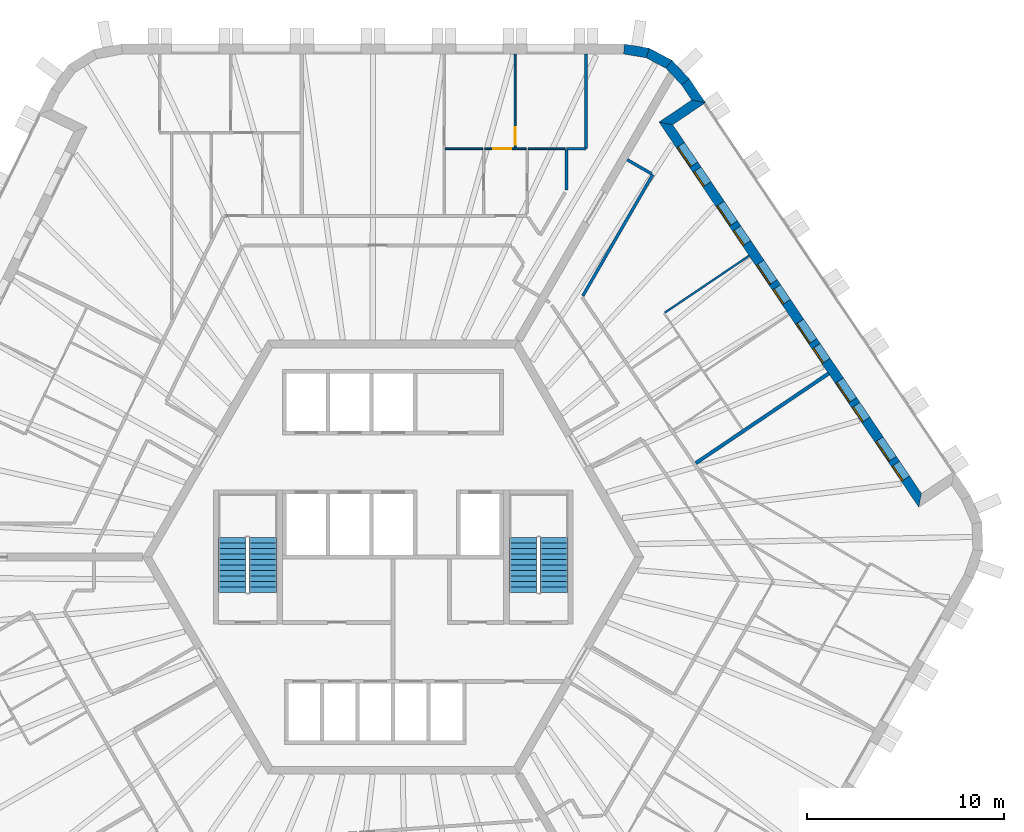
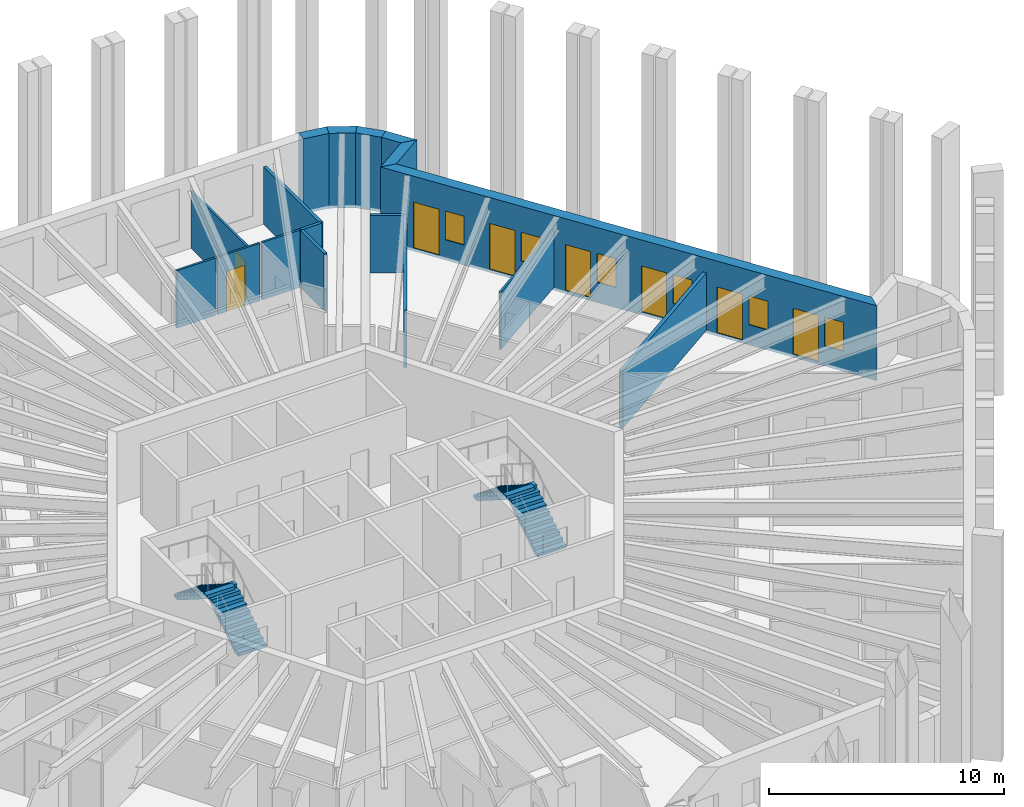
# One storey, part 11 of 13: 17 walls, 8 doors, 6 windows, 4 stair flights, 14 openings, 2 elements without a shape of their own.
"""IFC4 building model written with IfcOpenShell, lengths in metres."""

from ifc_helpers import new_model, si_unit, direction, frame, frame_2d, origin, place, context, subcontext, project, spatial, polyline, rectangle, outline, extrude, material, layer, layer_set, type_object, element, fill, aggregate, save


model = new_model("IFC4")

# Units and contexts
model_context = context("Model", 3, precision=1e-05, world=origin(), true_north=direction((0.0, 1.0)))
body_context = subcontext(model_context, "Body", "Model", "MODEL_VIEW")
ifc_project = project(units=[si_unit("LENGTHUNIT", "METRE"), si_unit("AREAUNIT", "SQUARE_METRE"), si_unit("VOLUMEUNIT", "CUBIC_METRE"), si_unit("PLANEANGLEUNIT", "RADIAN"), si_unit("MASSUNIT", "GRAM", prefix="KILO")], contexts=[model_context])

# Site, building, storey
site_placement = place(None, origin())
site = spatial("IfcSite", under=ifc_project, at=site_placement, CompositionType="ELEMENT")
building_placement = place(site_placement, origin())
building = spatial("IfcBuilding", under=site, at=building_placement, Name="Tarnside Tower", CompositionType="ELEMENT")
storey_placement = place(building_placement, frame((0.0, 0.0, 279.60009765625)))
storey = spatial("IfcBuildingStorey", under=building, at=storey_placement, Name="L67", CompositionType="ELEMENT", Elevation=279.60009765625)

# Walls
ifc_material_1 = material(Name="Gypsum board partition on steel studs", Category="steel")
ifc_layer_1 = layer(ifc_material_1, 0.10009765625)
ifc_layer_set_1 = layer_set([ifc_layer_1], Name="Bathroom wall 100")
wall_type_1 = type_object("IfcWallType", Name="Bathroom wall 100", PredefinedType="PARTITIONING", material=ifc_layer_set_1)
wall_1_placement = place(storey_placement, frame((4.5380859375, 20.699951171875, 0.0), z_axis=(0.0, 0.0, 1.0), x_axis=(-1.0, 0.0, 0.0)))
element("IfcWall", 1, at=wall_1_placement, inside=storey, type_object=wall_type_1, Name="Bathroom wall 22092", PredefinedType="PARTITIONING", context=body_context, shape_type="SweptSolid", body=[
    extrude(rectangle(XDim=1.904052734375, YDim=0.10009765625, at=frame_2d((0.9521484375, 0.0))), origin(), (0.0, 0.0, 1.0), 2.98779296875),
])
wall_2_placement = place(storey_placement, frame((6.836181640625, 20.699951171875, 0.0), z_axis=(0.0, 0.0, 1.0), x_axis=(1.0, 0.0, 0.0)))
element("IfcWall", 2, at=wall_2_placement, inside=storey, type_object=wall_type_1, Name="Bathroom wall 22094", PredefinedType="PARTITIONING", context=body_context, shape_type="SweptSolid", body=[
    extrude(rectangle(XDim=1.875, YDim=0.10009765625, at=frame_2d((0.9375, 0.0))), origin(), (0.0, 0.0, 1.0), 2.98779296875),
])
ifc_layer_2 = layer(ifc_material_1, 0.14990234375)
ifc_layer_set_2 = layer_set([ifc_layer_2], Name="Corridor wall 150 EI 60")
wall_type_2 = type_object("IfcWallType", Name="Corridor wall 150 EI 60", PredefinedType="PARTITIONING", material=ifc_layer_set_2)
wall_3_placement = place(storey_placement, frame((9.77392578125, 20.699951171875, 0.0), z_axis=(0.0, 0.0, 1.0), x_axis=(-1.0, 0.0, 0.0)))
element("IfcWall", 3, at=wall_3_placement, inside=storey, type_object=wall_type_2, Name="Corridor wall 22004", PredefinedType="PARTITIONING", context=body_context, shape_type="SweptSolid", body=[
    extrude(rectangle(XDim=0.991455078125, YDim=0.14990234375, at=frame_2d((0.49560546875, 0.0))), origin(), (0.0, 0.0, 1.0), 2.98779296875),
])
wall_4_placement = place(storey_placement, frame((9.775146484375, 25.5, 0.0), z_axis=(0.0, 0.0, 1.0), x_axis=(0.0, -1.0, 0.0)))
element("IfcWall", 4, at=wall_4_placement, inside=storey, type_object=wall_type_2, Name="Corridor wall 22005", PredefinedType="PARTITIONING", context=body_context, shape_type="SweptSolid", body=[
    extrude(rectangle(XDim=4.798828125, YDim=0.14990234375, at=frame_2d((2.3994140625, 0.0))), origin(), (0.0, 0.0, 1.0), 2.98779296875),
])
wall_5_placement = place(storey_placement, frame((8.7861328125, 20.625, 0.0), z_axis=(0.0, 0.0, 1.0), x_axis=(0.0, -1.0, 0.0)))
element("IfcWall", 5, at=wall_5_placement, inside=storey, type_object=wall_type_2, Name="Corridor wall 22006", PredefinedType="PARTITIONING", context=body_context, shape_type="SweptSolid", body=[
    extrude(rectangle(XDim=2.007080078125, YDim=0.14990234375, at=frame_2d((1.00341796875, 0.0))), origin(), (0.0, 0.0, 1.0), 2.98779296875),
])
wall_6_placement = place(storey_placement, frame((9.61083984375, 13.246337890625, 0.0), z_axis=(0.0, 0.0, 1.0), x_axis=(0.499994435258, 0.866028616566, 0.0)))
element("IfcWall", 6, at=wall_6_placement, inside=storey, type_object=wall_type_2, Name="Corridor wall 22067", PredefinedType="PARTITIONING", context=body_context, shape_type="SweptSolid", body=[
    extrude(rectangle(XDim=7.0966796875, YDim=0.14990234375, at=frame_2d((3.54833984375, 0.0))), origin(), (0.0, 0.0, 1.0), 2.98779296875),
])
wall_7_placement = place(storey_placement, frame((13.09423828125, 19.429931640625, 0.0), z_axis=(0.0, 0.0, 1.0), x_axis=(-0.866062911188, 0.499935029643, 0.0)))
element("IfcWall", 7, at=wall_7_placement, inside=storey, type_object=wall_type_2, Name="Corridor wall 22068", PredefinedType="PARTITIONING", context=body_context, shape_type="SweptSolid", body=[
    extrude(rectangle(XDim=1.425048828125, YDim=0.14990234375, at=frame_2d((0.71240234375, 0.0))), origin(), (0.0, 0.0, 1.0), 2.98779296875),
])
ifc_layer_3 = layer(ifc_material_1, 0.179931640625)
ifc_layer_set_3 = layer_set([ifc_layer_3], Name="Demising wall 180 EI 60")
wall_type_3 = type_object("IfcWallType", Name="Demising wall 180 EI 60", PredefinedType="PARTITIONING", material=ifc_layer_set_3)
wall_8_placement = place(storey_placement, frame((22.068603515625, 9.306884765625, 0.0), z_axis=(0.0, 0.0, 1.0), x_axis=(-0.829042649773, -0.559185376111, 0.0)))
element("IfcWall", 8, at=wall_8_placement, inside=storey, type_object=wall_type_3, Name="Demising wall 22158", PredefinedType="PARTITIONING", context=body_context, shape_type="SweptSolid", body=[
    extrude(rectangle(XDim=8.125244140625, YDim=0.179931640625, at=frame_2d((4.0625, 0.0))), origin(), (0.0, 0.0, 1.0), 2.98779296875),
])

# Wall, openings, doors, windows
ifc_material_2 = material(Name="Dark zinc cladding")
ifc_layer_4 = layer(ifc_material_2, 0.10205078125)
ifc_material_3 = material(Name="Concrete C60/75 precast", Category="concrete")
ifc_layer_5 = layer(ifc_material_3, 0.298095703125)
ifc_material_4 = material(Name="Mineral wool insulation")
ifc_layer_6 = layer(ifc_material_4, 0.10009765625)
ifc_layer_set_4 = layer_set([ifc_layer_4, ifc_layer_5, ifc_layer_6], Name="Loggia wall 500 zinc faced")
wall_type_4 = type_object("IfcWallType", Name="Loggia wall 500 zinc faced", PredefinedType="SOLIDWALL", material=ifc_layer_set_4)
wall_9_placement = place(storey_placement, frame((26.705810546875, 2.87890625, -0.150146484375), z_axis=(0.0, 0.0, 1.0), x_axis=(-0.559197891507, 0.829034208061, 0.0)))
wall_9 = element("IfcWall", 9, at=wall_9_placement, inside=storey, type_object=wall_type_4, Name="Tube wall L67 F6 back 30", PredefinedType="SOLIDWALL", context=body_context, shape_type="SweptSolid", body=[
    extrude(outline(polyline([(0.25, -0.25), (22.794677734375, -0.25), (23.294677734375, 0.25), (-0.25, 0.25), (0.25, -0.25)])), origin(), (0.0, 0.0, 1.0), 3.900146484375),
])
opening_1_placement = place(wall_9_placement, frame((1.322509765625, 0.0, 1.050048828125)))
opening_1 = element("IfcOpeningElement", 10, at=opening_1_placement, cuts=wall_9, Name="Opening WL500", PredefinedType="OPENING", context=body_context, shape_type="SweptSolid", body=[
    extrude(rectangle(XDim=0.89990234375, YDim=1.5, at=frame_2d((0.449951171875, 0.75))), frame((0.0, 0.260009765625, 0.0), z_axis=(0.0, -1.0, 0.0), x_axis=(1.0, 0.0, 0.0)), (0.0, 0.0, 1.0), 0.52001953125),
])
opening_2_placement = place(wall_9_placement, frame((2.5224609375, 0.0, 0.14990234375)))
opening_2 = element("IfcOpeningElement", 11, at=opening_2_placement, cuts=wall_9, Name="Opening DB500", PredefinedType="OPENING", context=body_context, shape_type="SweptSolid", body=[
    extrude(rectangle(XDim=1.199951171875, YDim=2.39990234375, at=frame_2d((0.60009765625, 1.199951171875))), frame((0.0, 0.260009765625, 0.0), z_axis=(0.0, -1.0, 0.0), x_axis=(1.0, 0.0, 0.0)), (0.0, 0.0, 1.0), 0.52001953125),
])
opening_3_placement = place(wall_9_placement, frame((4.92236328125, 0.0, 1.050048828125)))
opening_3 = element("IfcOpeningElement", 12, at=opening_3_placement, cuts=wall_9, Name="Opening WL500", PredefinedType="OPENING", context=body_context, shape_type="SweptSolid", body=[
    extrude(rectangle(XDim=0.89990234375, YDim=1.5, at=frame_2d((0.449951171875, 0.75))), frame((0.0, 0.260009765625, 0.0), z_axis=(0.0, -1.0, 0.0), x_axis=(1.0, 0.0, 0.0)), (0.0, 0.0, 1.0), 0.52001953125),
])
opening_4_placement = place(wall_9_placement, frame((6.122314453125, 0.0, 0.14990234375)))
opening_4 = element("IfcOpeningElement", 13, at=opening_4_placement, cuts=wall_9, Name="Opening DB500", PredefinedType="OPENING", context=body_context, shape_type="SweptSolid", body=[
    extrude(rectangle(XDim=1.199951171875, YDim=2.39990234375, at=frame_2d((0.60009765625, 1.199951171875))), frame((0.0, 0.260009765625, 0.0), z_axis=(0.0, -1.0, 0.0), x_axis=(1.0, 0.0, 0.0)), (0.0, 0.0, 1.0), 0.52001953125),
])
opening_5_placement = place(wall_9_placement, frame((8.5224609375, 0.0, 1.050048828125)))
opening_5 = element("IfcOpeningElement", 14, at=opening_5_placement, cuts=wall_9, Name="Opening WL500", PredefinedType="OPENING", context=body_context, shape_type="SweptSolid", body=[
    extrude(rectangle(XDim=0.89990234375, YDim=1.5, at=frame_2d((0.449951171875, 0.75))), frame((0.0, 0.260009765625, 0.0), z_axis=(0.0, -1.0, 0.0), x_axis=(1.0, 0.0, 0.0)), (0.0, 0.0, 1.0), 0.52001953125),
])
opening_6_placement = place(wall_9_placement, frame((9.722412109375, 0.0, 0.14990234375)))
opening_6 = element("IfcOpeningElement", 15, at=opening_6_placement, cuts=wall_9, Name="Opening DB500", PredefinedType="OPENING", context=body_context, shape_type="SweptSolid", body=[
    extrude(rectangle(XDim=1.199951171875, YDim=2.39990234375, at=frame_2d((0.60009765625, 1.199951171875))), frame((0.0, 0.260009765625, 0.0), z_axis=(0.0, -1.0, 0.0), x_axis=(1.0, 0.0, 0.0)), (0.0, 0.0, 1.0), 0.52001953125),
])
opening_7_placement = place(wall_9_placement, frame((12.122314453125, 0.0, 1.050048828125)))
opening_7 = element("IfcOpeningElement", 16, at=opening_7_placement, cuts=wall_9, Name="Opening WL500", PredefinedType="OPENING", context=body_context, shape_type="SweptSolid", body=[
    extrude(rectangle(XDim=0.89990234375, YDim=1.5, at=frame_2d((0.449951171875, 0.75))), frame((0.0, 0.260009765625, 0.0), z_axis=(0.0, -1.0, 0.0), x_axis=(1.0, 0.0, 0.0)), (0.0, 0.0, 1.0), 0.52001953125),
])
opening_8_placement = place(wall_9_placement, frame((13.322509765625, 0.0, 0.14990234375)))
opening_8 = element("IfcOpeningElement", 17, at=opening_8_placement, cuts=wall_9, Name="Opening DB500", PredefinedType="OPENING", context=body_context, shape_type="SweptSolid", body=[
    extrude(rectangle(XDim=1.199951171875, YDim=2.39990234375, at=frame_2d((0.60009765625, 1.199951171875))), frame((0.0, 0.260009765625, 0.0), z_axis=(0.0, -1.0, 0.0), x_axis=(1.0, 0.0, 0.0)), (0.0, 0.0, 1.0), 0.52001953125),
])
opening_9_placement = place(wall_9_placement, frame((15.722412109375, 0.0, 1.050048828125)))
opening_9 = element("IfcOpeningElement", 18, at=opening_9_placement, cuts=wall_9, Name="Opening WL500", PredefinedType="OPENING", context=body_context, shape_type="SweptSolid", body=[
    extrude(rectangle(XDim=0.89990234375, YDim=1.5, at=frame_2d((0.449951171875, 0.75))), frame((0.0, 0.260009765625, 0.0), z_axis=(0.0, -1.0, 0.0), x_axis=(1.0, 0.0, 0.0)), (0.0, 0.0, 1.0), 0.52001953125),
])
opening_10_placement = place(wall_9_placement, frame((16.92236328125, 0.0, 0.14990234375)))
opening_10 = element("IfcOpeningElement", 19, at=opening_10_placement, cuts=wall_9, Name="Opening DB500", PredefinedType="OPENING", context=body_context, shape_type="SweptSolid", body=[
    extrude(rectangle(XDim=1.199951171875, YDim=2.39990234375, at=frame_2d((0.60009765625, 1.199951171875))), frame((0.0, 0.260009765625, 0.0), z_axis=(0.0, -1.0, 0.0), x_axis=(1.0, 0.0, 0.0)), (0.0, 0.0, 1.0), 0.52001953125),
])
opening_11_placement = place(wall_9_placement, frame((19.322509765625, 0.0, 1.050048828125)))
opening_11 = element("IfcOpeningElement", 20, at=opening_11_placement, cuts=wall_9, Name="Opening WL500", PredefinedType="OPENING", context=body_context, shape_type="SweptSolid", body=[
    extrude(rectangle(XDim=0.89990234375, YDim=1.5, at=frame_2d((0.449951171875, 0.75))), frame((0.0, 0.260009765625, 0.0), z_axis=(0.0, -1.0, 0.0), x_axis=(1.0, 0.0, 0.0)), (0.0, 0.0, 1.0), 0.52001953125),
])
opening_12_placement = place(wall_9_placement, frame((20.5224609375, 0.0, 0.14990234375)))
opening_12 = element("IfcOpeningElement", 21, at=opening_12_placement, cuts=wall_9, Name="Opening DB500", PredefinedType="OPENING", context=body_context, shape_type="SweptSolid", body=[
    extrude(rectangle(XDim=1.199951171875, YDim=2.39990234375, at=frame_2d((0.60009765625, 1.199951171875))), frame((0.0, 0.260009765625, 0.0), z_axis=(0.0, -1.0, 0.0), x_axis=(1.0, 0.0, 0.0)), (0.0, 0.0, 1.0), 0.52001953125),
])
ifc_material_5 = material(Name="Aluminium-framed double glazing", Category="aluminium")
door_type_1 = type_object("IfcDoorType", Name="Balcony sliding door 1200 x 2400 in 500 wall", OperationType="SLIDING_TO_LEFT", PredefinedType="DOOR", material=ifc_material_5)
door_1_placement = place(opening_2_placement, frame((0.0, 0.1748046875, 0.0)))
door_1 = element("IfcDoor", 22, at=door_1_placement, inside=storey, type_object=door_type_1, Name="E.BD.L67.F6.00", OperationType="SLIDING_TO_LEFT", OverallHeight=2.39990234375, OverallWidth=1.199951171875, PredefinedType="DOOR", context=body_context, shape_type="SweptSolid", body=[
    extrude(rectangle(XDim=1.199951171875, YDim=2.39990234375, at=frame_2d((0.60009765625, 1.199951171875))), frame((0.0, 0.02490234375, 0.0), z_axis=(0.0, -1.0, 0.0), x_axis=(1.0, 0.0, 0.0)), (0.0, 0.0, 1.0), 0.050048828125),
])
fill(opening_2, door_1)
door_2_placement = place(opening_4_placement, frame((0.0, 0.1748046875, 0.0)))
door_2 = element("IfcDoor", 23, at=door_2_placement, inside=storey, type_object=door_type_1, Name="E.BD.L67.F6.01", OperationType="SLIDING_TO_LEFT", OverallHeight=2.39990234375, OverallWidth=1.199951171875, PredefinedType="DOOR", context=body_context, shape_type="SweptSolid", body=[
    extrude(rectangle(XDim=1.199951171875, YDim=2.39990234375, at=frame_2d((0.60009765625, 1.199951171875))), frame((0.0, 0.02490234375, 0.0), z_axis=(0.0, -1.0, 0.0), x_axis=(1.0, 0.0, 0.0)), (0.0, 0.0, 1.0), 0.050048828125),
])
fill(opening_4, door_2)
door_3_placement = place(opening_6_placement, frame((0.0, 0.1748046875, 0.0)))
door_3 = element("IfcDoor", 24, at=door_3_placement, inside=storey, type_object=door_type_1, Name="E.BD.L67.F6.02", OperationType="SLIDING_TO_LEFT", OverallHeight=2.39990234375, OverallWidth=1.199951171875, PredefinedType="DOOR", context=body_context, shape_type="SweptSolid", body=[
    extrude(rectangle(XDim=1.199951171875, YDim=2.39990234375, at=frame_2d((0.60009765625, 1.199951171875))), frame((0.0, 0.02490234375, 0.0), z_axis=(0.0, -1.0, 0.0), x_axis=(1.0, 0.0, 0.0)), (0.0, 0.0, 1.0), 0.050048828125),
])
fill(opening_6, door_3)
door_4_placement = place(opening_8_placement, frame((0.0, 0.1748046875, 0.0)))
door_4 = element("IfcDoor", 25, at=door_4_placement, inside=storey, type_object=door_type_1, Name="E.BD.L67.F6.03", OperationType="SLIDING_TO_LEFT", OverallHeight=2.39990234375, OverallWidth=1.199951171875, PredefinedType="DOOR", context=body_context, shape_type="SweptSolid", body=[
    extrude(rectangle(XDim=1.199951171875, YDim=2.39990234375, at=frame_2d((0.60009765625, 1.199951171875))), frame((0.0, 0.02490234375, 0.0), z_axis=(0.0, -1.0, 0.0), x_axis=(1.0, 0.0, 0.0)), (0.0, 0.0, 1.0), 0.050048828125),
])
fill(opening_8, door_4)
door_5_placement = place(opening_10_placement, frame((0.0, 0.1748046875, 0.0)))
door_5 = element("IfcDoor", 26, at=door_5_placement, inside=storey, type_object=door_type_1, Name="E.BD.L67.F6.04", OperationType="SLIDING_TO_LEFT", OverallHeight=2.39990234375, OverallWidth=1.199951171875, PredefinedType="DOOR", context=body_context, shape_type="SweptSolid", body=[
    extrude(rectangle(XDim=1.199951171875, YDim=2.39990234375, at=frame_2d((0.60009765625, 1.199951171875))), frame((0.0, 0.02490234375, 0.0), z_axis=(0.0, -1.0, 0.0), x_axis=(1.0, 0.0, 0.0)), (0.0, 0.0, 1.0), 0.050048828125),
])
fill(opening_10, door_5)
door_6_placement = place(opening_12_placement, frame((0.0, 0.1748046875, 0.0)))
door_6 = element("IfcDoor", 27, at=door_6_placement, inside=storey, type_object=door_type_1, Name="E.BD.L67.F6.05", OperationType="SLIDING_TO_LEFT", OverallHeight=2.39990234375, OverallWidth=1.199951171875, PredefinedType="DOOR", context=body_context, shape_type="SweptSolid", body=[
    extrude(rectangle(XDim=1.199951171875, YDim=2.39990234375, at=frame_2d((0.60009765625, 1.199951171875))), frame((0.0, 0.02490234375, 0.0), z_axis=(0.0, -1.0, 0.0), x_axis=(1.0, 0.0, 0.0)), (0.0, 0.0, 1.0), 0.050048828125),
])
fill(opening_12, door_6)
window_type = type_object("IfcWindowType", Name="Loggia window 900 x 1500 in 500 wall", PartitioningType="SINGLE_PANEL", PredefinedType="WINDOW", material=ifc_material_5)
window_1_placement = place(opening_1_placement, frame((0.0, 0.179931640625, 0.0)))
window_1 = element("IfcWindow", 28, at=window_1_placement, inside=storey, type_object=window_type, Name="E.LW.L67.F6.00", OverallHeight=1.5, OverallWidth=0.89990234375, PartitioningType="SINGLE_PANEL", PredefinedType="WINDOW", context=body_context, shape_type="SweptSolid", body=[
    extrude(rectangle(XDim=0.89990234375, YDim=1.5, at=frame_2d((0.449951171875, 0.75))), frame((0.0, 0.030029296875, 0.0), z_axis=(0.0, -1.0, 0.0), x_axis=(1.0, 0.0, 0.0)), (0.0, 0.0, 1.0), 0.06005859375),
])
fill(opening_1, window_1)
window_2_placement = place(opening_3_placement, frame((0.0, 0.179931640625, 0.0)))
window_2 = element("IfcWindow", 29, at=window_2_placement, inside=storey, type_object=window_type, Name="E.LW.L67.F6.01", OverallHeight=1.5, OverallWidth=0.89990234375, PartitioningType="SINGLE_PANEL", PredefinedType="WINDOW", context=body_context, shape_type="SweptSolid", body=[
    extrude(rectangle(XDim=0.89990234375, YDim=1.5, at=frame_2d((0.449951171875, 0.75))), frame((0.0, 0.030029296875, 0.0), z_axis=(0.0, -1.0, 0.0), x_axis=(1.0, 0.0, 0.0)), (0.0, 0.0, 1.0), 0.06005859375),
])
fill(opening_3, window_2)
window_3_placement = place(opening_5_placement, frame((0.0, 0.179931640625, 0.0)))
window_3 = element("IfcWindow", 30, at=window_3_placement, inside=storey, type_object=window_type, Name="E.LW.L67.F6.02", OverallHeight=1.5, OverallWidth=0.89990234375, PartitioningType="SINGLE_PANEL", PredefinedType="WINDOW", context=body_context, shape_type="SweptSolid", body=[
    extrude(rectangle(XDim=0.89990234375, YDim=1.5, at=frame_2d((0.449951171875, 0.75))), frame((0.0, 0.030029296875, 0.0), z_axis=(0.0, -1.0, 0.0), x_axis=(1.0, 0.0, 0.0)), (0.0, 0.0, 1.0), 0.06005859375),
])
fill(opening_5, window_3)
window_4_placement = place(opening_7_placement, frame((0.0, 0.179931640625, 0.0)))
window_4 = element("IfcWindow", 31, at=window_4_placement, inside=storey, type_object=window_type, Name="E.LW.L67.F6.03", OverallHeight=1.5, OverallWidth=0.89990234375, PartitioningType="SINGLE_PANEL", PredefinedType="WINDOW", context=body_context, shape_type="SweptSolid", body=[
    extrude(rectangle(XDim=0.89990234375, YDim=1.5, at=frame_2d((0.449951171875, 0.75))), frame((0.0, 0.030029296875, 0.0), z_axis=(0.0, -1.0, 0.0), x_axis=(1.0, 0.0, 0.0)), (0.0, 0.0, 1.0), 0.06005859375),
])
fill(opening_7, window_4)
window_5_placement = place(opening_9_placement, frame((0.0, 0.179931640625, 0.0)))
window_5 = element("IfcWindow", 32, at=window_5_placement, inside=storey, type_object=window_type, Name="E.LW.L67.F6.04", OverallHeight=1.5, OverallWidth=0.89990234375, PartitioningType="SINGLE_PANEL", PredefinedType="WINDOW", context=body_context, shape_type="SweptSolid", body=[
    extrude(rectangle(XDim=0.89990234375, YDim=1.5, at=frame_2d((0.449951171875, 0.75))), frame((0.0, 0.030029296875, 0.0), z_axis=(0.0, -1.0, 0.0), x_axis=(1.0, 0.0, 0.0)), (0.0, 0.0, 1.0), 0.06005859375),
])
fill(opening_9, window_5)
window_6_placement = place(opening_11_placement, frame((0.0, 0.179931640625, 0.0)))
window_6 = element("IfcWindow", 33, at=window_6_placement, inside=storey, type_object=window_type, Name="E.LW.L67.F6.05", OverallHeight=1.5, OverallWidth=0.89990234375, PartitioningType="SINGLE_PANEL", PredefinedType="WINDOW", context=body_context, shape_type="SweptSolid", body=[
    extrude(rectangle(XDim=0.89990234375, YDim=1.5, at=frame_2d((0.449951171875, 0.75))), frame((0.0, 0.030029296875, 0.0), z_axis=(0.0, -1.0, 0.0), x_axis=(1.0, 0.0, 0.0)), (0.0, 0.0, 1.0), 0.06005859375),
])
fill(opening_11, window_6)

# Walls
wall_10_placement = place(storey_placement, frame((13.8193359375, 21.983642578125, -0.150146484375), z_axis=(0.0, 0.0, 1.0), x_axis=(0.829052389485, 0.559170935841, 0.0)))
element("IfcWall", 34, at=wall_10_placement, inside=storey, type_object=wall_type_4, Name="Tube wall L67 F6 return 31", PredefinedType="SOLIDWALL", context=body_context, shape_type="SweptSolid", body=[
    extrude(outline(polyline([(0.25, -0.25), (2.25, -0.25), (1.75, 0.25), (-0.25, 0.25), (0.25, -0.25)])), origin(), (0.0, 0.0, 1.0), 3.900146484375),
])
wall_11_placement = place(storey_placement, frame((15.4775390625, 23.10205078125, -0.150146484375), z_axis=(0.0, 0.0, 1.0), x_axis=(-0.559245726333, 0.829001940636, 0.0)))
element("IfcWall", 35, at=wall_11_placement, inside=storey, type_object=wall_type_4, Name="Tube wall L67 F6 stub 32", PredefinedType="SOLIDWALL", context=body_context, shape_type="SweptSolid", body=[
    extrude(outline(polyline([(-0.25, -0.25), (1.220703125, -0.25), (1.1796875, 0.25), (0.25, 0.25), (-0.25, -0.25)])), origin(), (0.0, 0.0, 1.0), 3.900146484375),
])

# Wall, opening, door
ifc_layer_7 = layer(ifc_material_1, 0.10009765625)
ifc_layer_set_5 = layer_set([ifc_layer_7], Name="Partition 100")
wall_type_5 = type_object("IfcWallType", Name="Partition 100", PredefinedType="PARTITIONING", material=ifc_layer_set_5)
wall_12_placement = place(storey_placement, frame((6.738037109375, 20.699951171875, 0.0), z_axis=(0.0, 0.0, 1.0), x_axis=(-1.0, 0.0, 0.0)))
wall_12 = element("IfcWall", 36, at=wall_12_placement, inside=storey, type_object=wall_type_5, Name="Partition wall 22089", PredefinedType="PARTITIONING", context=body_context, shape_type="SweptSolid", body=[
    extrude(rectangle(XDim=2.10400390625, YDim=0.10009765625, at=frame_2d((1.052001953125, 0.0))), origin(), (0.0, 0.0, 1.0), 2.98779296875),
])
opening_13_placement = place(wall_12_placement, frame((0.762939453125, 0.0, 0.0)))
opening_13 = element("IfcOpeningElement", 37, at=opening_13_placement, cuts=wall_12, Name="Opening D-I1", PredefinedType="OPENING", context=body_context, shape_type="SweptSolid", body=[
    extrude(rectangle(XDim=0.89990234375, YDim=2.10009765625, at=frame_2d((0.449951171875, 1.050048828125))), frame((0.0, 0.06005859375, 0.0), z_axis=(0.0, -1.0, 0.0), x_axis=(1.0, 0.0, 0.0)), (0.0, 0.0, 1.0), 0.1201171875),
])
ifc_material_6 = material(Name="Timber door leaf", Category="wood")
door_type_2 = type_object("IfcDoorType", Name="Internal door 900", OperationType="NOTDEFINED", PredefinedType="DOOR", material=ifc_material_6)
door_7_placement = place(opening_13_placement, origin())
door_7 = element("IfcDoor", 38, at=door_7_placement, inside=storey, type_object=door_type_2, Name="Internal door 22005", OperationType="SINGLE_SWING_RIGHT", OverallHeight=2.10009765625, OverallWidth=0.89990234375, PredefinedType="DOOR", context=body_context, shape_type="SweptSolid", body=[
    extrude(rectangle(XDim=0.89990234375, YDim=2.10009765625, at=frame_2d((0.449951171875, 1.050048828125))), frame((0.0, 0.02490234375, 0.0), z_axis=(0.0, -1.0, 0.0), x_axis=(1.0, 0.0, 0.0)), (0.0, 0.0, 1.0), 0.050048828125),
])
fill(opening_13, door_7)

wall_13_placement = place(storey_placement, frame((6.17529296875, 25.5, 0.0), z_axis=(0.0, 0.0, 1.0), x_axis=(0.0, -1.0, 0.0)))
wall_13 = element("IfcWall", 39, at=wall_13_placement, inside=storey, type_object=wall_type_5, Name="Partition wall 22093", PredefinedType="PARTITIONING", context=body_context, shape_type="SweptSolid", body=[
    extrude(rectangle(XDim=4.75, YDim=0.10009765625, at=frame_2d((2.375, 0.0))), origin(), (0.0, 0.0, 1.0), 2.98779296875),
])
opening_14_placement = place(wall_13_placement, frame((3.699951171875, 0.0, 0.0)))
opening_14 = element("IfcOpeningElement", 40, at=opening_14_placement, cuts=wall_13, Name="Opening D-I1", PredefinedType="OPENING", context=body_context, shape_type="SweptSolid", body=[
    extrude(rectangle(XDim=0.89990234375, YDim=2.10009765625, at=frame_2d((0.449951171875, 1.050048828125))), frame((0.0, 0.06005859375, 0.0), z_axis=(0.0, -1.0, 0.0), x_axis=(1.0, 0.0, 0.0)), (0.0, 0.0, 1.0), 0.1201171875),
])
door_8_placement = place(opening_14_placement, origin())
door_8 = element("IfcDoor", 41, at=door_8_placement, inside=storey, type_object=door_type_2, Name="Internal door 22008", OperationType="SINGLE_SWING_RIGHT", OverallHeight=2.10009765625, OverallWidth=0.89990234375, PredefinedType="DOOR", context=body_context, shape_type="SweptSolid", body=[
    extrude(rectangle(XDim=0.89990234375, YDim=2.10009765625, at=frame_2d((0.449951171875, 1.050048828125))), frame((0.0, 0.02490234375, 0.0), z_axis=(0.0, -1.0, 0.0), x_axis=(1.0, 0.0, 0.0)), (0.0, 0.0, 1.0), 0.050048828125),
])
fill(opening_14, door_8)

# Walls
wall_14_placement = place(storey_placement, frame((13.772705078125, 12.396240234375, 0.0), z_axis=(0.0, 0.0, 1.0), x_axis=(0.82903328576, 0.559199258853, 0.0)))
element("IfcWall", 42, at=wall_14_placement, inside=storey, type_object=wall_type_5, Name="Partition wall 22168", PredefinedType="PARTITIONING", context=body_context, shape_type="SweptSolid", body=[
    extrude(rectangle(XDim=5.14990234375, YDim=0.10009765625, at=frame_2d((2.574951171875, 0.0))), origin(), (0.0, 0.0, 1.0), 2.98779296875),
])
ifc_material_7 = material(Name="Facing brick", Category="masonry")
ifc_layer_8 = layer(ifc_material_7, 0.10205078125)
ifc_layer_9 = layer(ifc_material_3, 0.298095703125)
ifc_layer_10 = layer(ifc_material_4, 0.10009765625)
ifc_layer_set_6 = layer_set([ifc_layer_8, ifc_layer_9, ifc_layer_10], Name="Tube wall 500 brick faced")
wall_type_6 = type_object("IfcWallType", Name="Tube wall 500 brick faced", PredefinedType="SOLIDWALL", material=ifc_layer_set_6)
wall_15_placement = place(storey_placement, frame((14.806396484375, 24.096923828125, -0.150146484375), z_axis=(0.0, 0.0, 1.0), x_axis=(-0.686234452793, 0.727380420275, 0.0)))
element("IfcWall", 43, at=wall_15_placement, inside=storey, type_object=wall_type_6, Name="Tube wall L67 F6 chord 33", PredefinedType="SOLIDWALL", context=body_context, shape_type="SweptSolid", body=[
    extrude(outline(polyline([(-0.0205078125, -0.25), (1.25732421875, -0.25), (1.17529296875, 0.25), (0.0205078125, 0.25), (-0.0205078125, -0.25)])), origin(), (0.0, 0.0, 1.0), 3.900146484375),
])
wall_16_placement = place(storey_placement, frame((13.9716796875, 24.981689453125, -0.150146484375), z_axis=(0.0, 0.0, 1.0), x_axis=(-0.882902492938, 0.469556373575, 0.0)))
element("IfcWall", 44, at=wall_16_placement, inside=storey, type_object=wall_type_6, Name="Tube wall L67 F6 chord 34", PredefinedType="SOLIDWALL", context=body_context, shape_type="SweptSolid", body=[
    extrude(outline(polyline([(-0.041015625, -0.25), (1.257080078125, -0.25), (1.175048828125, 0.25), (0.041015625, 0.25), (-0.041015625, -0.25)])), origin(), (0.0, 0.0, 1.0), 3.900146484375),
])
wall_17_placement = place(storey_placement, frame((12.89794921875, 25.552734375, -0.150146484375), z_axis=(0.0, 0.0, 1.0), x_axis=(-0.986765617372, 0.16215306464, 0.0)))
element("IfcWall", 45, at=wall_17_placement, inside=storey, type_object=wall_type_6, Name="Tube wall L67 F6 chord 35", PredefinedType="SOLIDWALL", context=body_context, shape_type="SweptSolid", body=[
    extrude(outline(polyline([(-0.041015625, -0.25), (1.237060546875, -0.25), (1.196044921875, 0.25), (0.041015625, 0.25), (-0.041015625, -0.25)])), origin(), (0.0, 0.0, 1.0), 3.900146484375),
])

# Stair, stair flights
ifc_material_8 = material(Name="Concrete C40/50", Category="concrete")
stair_type = type_object("IfcStairType", Name="Exit stair 1400 clear", PredefinedType="HALF_TURN_STAIR", material=ifc_material_8)
stair_1_placement = place(storey_placement, origin())
stair_1 = element("IfcStair", 46, at=stair_1_placement, inside=storey, type_object=stair_type, Name="L67 Exit stair 1", PredefinedType="HALF_TURN_STAIR")
stair_flight_type = type_object("IfcStairFlightType", Name="Exit stair flight 1400", PredefinedType="STRAIGHT", material=ifc_material_8)
stair_flight_1_placement = place(storey_placement, frame((8.14990234375, -1.800048828125, 0.0), z_axis=(0.0, 0.0, 1.0), x_axis=(0.0, 1.0, 0.0)))
stair_flight_1 = element("IfcStairFlight", 47, at=stair_flight_1_placement, type_object=stair_flight_type, Name="ST1 flight 1", NumberOfRisers=11, NumberOfTreads=10, PredefinedType="STRAIGHT", RiserHeight=0.177272727, TreadLength=0.28, context=body_context, shape_type="SweptSolid", body=[
    extrude(outline(polyline([(0.0, 0.0), (0.0, 0.17724609375), (0.280029296875, 0.17724609375), (0.280029296875, 0.3544921875), (0.56005859375, 0.3544921875), (0.56005859375, 0.53173828125), (0.840087890625, 0.53173828125), (0.840087890625, 0.708984375), (1.1201171875, 0.708984375), (1.1201171875, 0.886474609375), (1.39990234375, 0.886474609375), (1.39990234375, 1.063720703125), (1.679931640625, 1.063720703125), (1.679931640625, 1.240966796875), (1.9599609375, 1.240966796875), (1.9599609375, 1.418212890625), (2.239990234375, 1.418212890625), (2.239990234375, 1.595458984375), (2.52001953125, 1.595458984375), (2.52001953125, 1.772705078125), (2.800048828125, 1.772705078125), (2.800048828125, 1.949951171875), (2.800048828125, 1.59521484375), (0.2802734375, 0.0), (0.0, 0.0)])), frame((0.0, 0.699951171875, 0.0), z_axis=(0.0, -1.0, 0.0), x_axis=(1.0, 0.0, 0.0)), (0.0, 0.0, 1.0), 1.39990234375),
])
stair_flight_2_placement = place(storey_placement, frame((6.60009765625, 1.0, 1.949951171875), z_axis=(0.0, 0.0, 1.0), x_axis=(0.0, -1.0, 0.0)))
stair_flight_2 = element("IfcStairFlight", 48, at=stair_flight_2_placement, type_object=stair_flight_type, Name="ST1 flight 2", NumberOfRisers=11, NumberOfTreads=10, PredefinedType="STRAIGHT", RiserHeight=0.177272727, TreadLength=0.28, context=body_context, shape_type="SweptSolid", body=[
    extrude(outline(polyline([(0.0, 0.0), (0.0, 0.17724609375), (0.280029296875, 0.17724609375), (0.280029296875, 0.3544921875), (0.56005859375, 0.3544921875), (0.56005859375, 0.53173828125), (0.840087890625, 0.53173828125), (0.840087890625, 0.708984375), (1.1201171875, 0.708984375), (1.1201171875, 0.886474609375), (1.39990234375, 0.886474609375), (1.39990234375, 1.063720703125), (1.679931640625, 1.063720703125), (1.679931640625, 1.240966796875), (1.9599609375, 1.240966796875), (1.9599609375, 1.418212890625), (2.239990234375, 1.418212890625), (2.239990234375, 1.595458984375), (2.52001953125, 1.595458984375), (2.52001953125, 1.772705078125), (2.800048828125, 1.772705078125), (2.800048828125, 1.949951171875), (2.800048828125, 1.59521484375), (0.2802734375, 0.0), (0.0, 0.0)])), frame((0.0, 0.699951171875, 0.0), z_axis=(0.0, -1.0, 0.0), x_axis=(1.0, 0.0, 0.0)), (0.0, 0.0, 1.0), 1.39990234375),
])
aggregate(stair_1, [stair_flight_1, stair_flight_2])

stair_2_placement = place(storey_placement, origin())
stair_2 = element("IfcStair", 49, at=stair_2_placement, inside=storey, type_object=stair_type, Name="L67 Exit stair 2", PredefinedType="HALF_TURN_STAIR")
stair_flight_3_placement = place(storey_placement, frame((-6.60009765625, -1.800048828125, 0.0), z_axis=(0.0, 0.0, 1.0), x_axis=(0.0, 1.0, 0.0)))
stair_flight_3 = element("IfcStairFlight", 50, at=stair_flight_3_placement, type_object=stair_flight_type, Name="ST2 flight 1", NumberOfRisers=11, NumberOfTreads=10, PredefinedType="STRAIGHT", RiserHeight=0.177272727, TreadLength=0.28, context=body_context, shape_type="SweptSolid", body=[
    extrude(outline(polyline([(0.0, 0.0), (0.0, 0.17724609375), (0.280029296875, 0.17724609375), (0.280029296875, 0.3544921875), (0.56005859375, 0.3544921875), (0.56005859375, 0.53173828125), (0.840087890625, 0.53173828125), (0.840087890625, 0.708984375), (1.1201171875, 0.708984375), (1.1201171875, 0.886474609375), (1.39990234375, 0.886474609375), (1.39990234375, 1.063720703125), (1.679931640625, 1.063720703125), (1.679931640625, 1.240966796875), (1.9599609375, 1.240966796875), (1.9599609375, 1.418212890625), (2.239990234375, 1.418212890625), (2.239990234375, 1.595458984375), (2.52001953125, 1.595458984375), (2.52001953125, 1.772705078125), (2.800048828125, 1.772705078125), (2.800048828125, 1.949951171875), (2.800048828125, 1.59521484375), (0.2802734375, 0.0), (0.0, 0.0)])), frame((0.0, 0.699951171875, 0.0), z_axis=(0.0, -1.0, 0.0), x_axis=(1.0, 0.0, 0.0)), (0.0, 0.0, 1.0), 1.39990234375),
])
stair_flight_4_placement = place(storey_placement, frame((-8.14990234375, 1.0, 1.949951171875), z_axis=(0.0, 0.0, 1.0), x_axis=(0.0, -1.0, 0.0)))
stair_flight_4 = element("IfcStairFlight", 51, at=stair_flight_4_placement, type_object=stair_flight_type, Name="ST2 flight 2", NumberOfRisers=11, NumberOfTreads=10, PredefinedType="STRAIGHT", RiserHeight=0.177272727, TreadLength=0.28, context=body_context, shape_type="SweptSolid", body=[
    extrude(outline(polyline([(0.0, 0.0), (0.0, 0.17724609375), (0.280029296875, 0.17724609375), (0.280029296875, 0.3544921875), (0.56005859375, 0.3544921875), (0.56005859375, 0.53173828125), (0.840087890625, 0.53173828125), (0.840087890625, 0.708984375), (1.1201171875, 0.708984375), (1.1201171875, 0.886474609375), (1.39990234375, 0.886474609375), (1.39990234375, 1.063720703125), (1.679931640625, 1.063720703125), (1.679931640625, 1.240966796875), (1.9599609375, 1.240966796875), (1.9599609375, 1.418212890625), (2.239990234375, 1.418212890625), (2.239990234375, 1.595458984375), (2.52001953125, 1.595458984375), (2.52001953125, 1.772705078125), (2.800048828125, 1.772705078125), (2.800048828125, 1.949951171875), (2.800048828125, 1.59521484375), (0.2802734375, 0.0), (0.0, 0.0)])), frame((0.0, 0.699951171875, 0.0), z_axis=(0.0, -1.0, 0.0), x_axis=(1.0, 0.0, 0.0)), (0.0, 0.0, 1.0), 1.39990234375),
])
aggregate(stair_2, [stair_flight_3, stair_flight_4])

save(model, "model.ifc")
